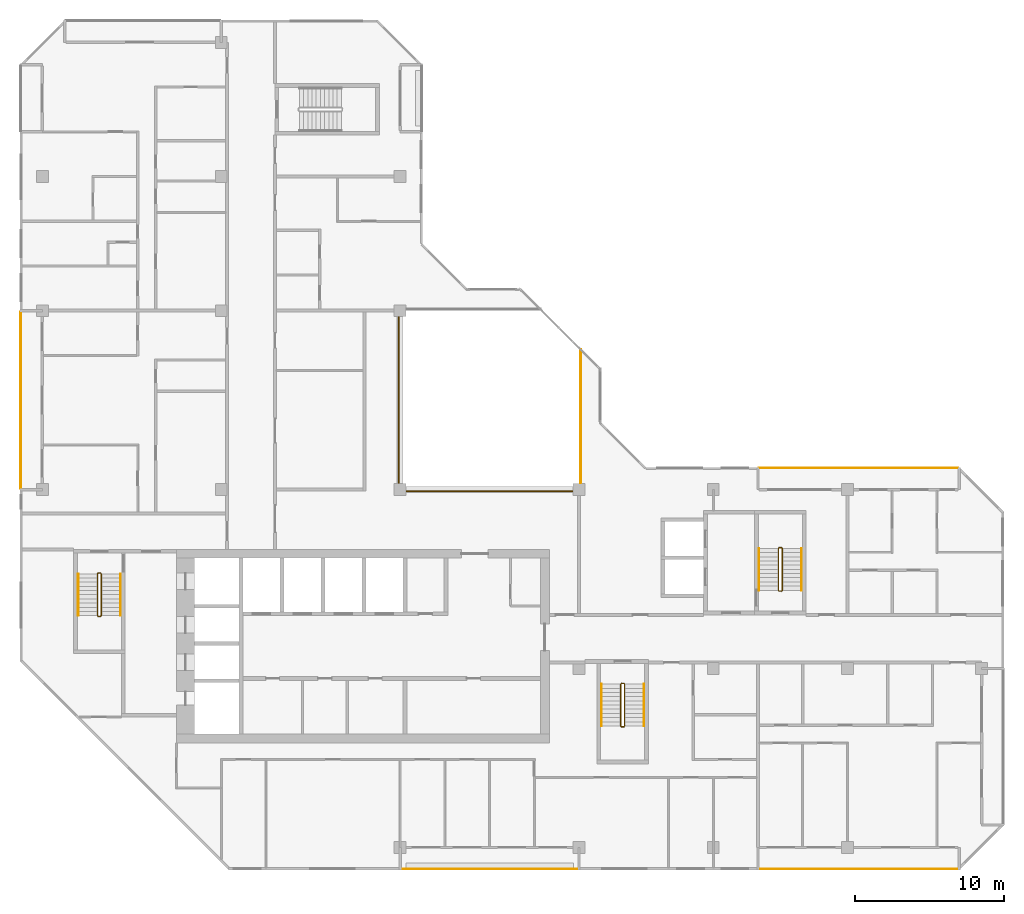
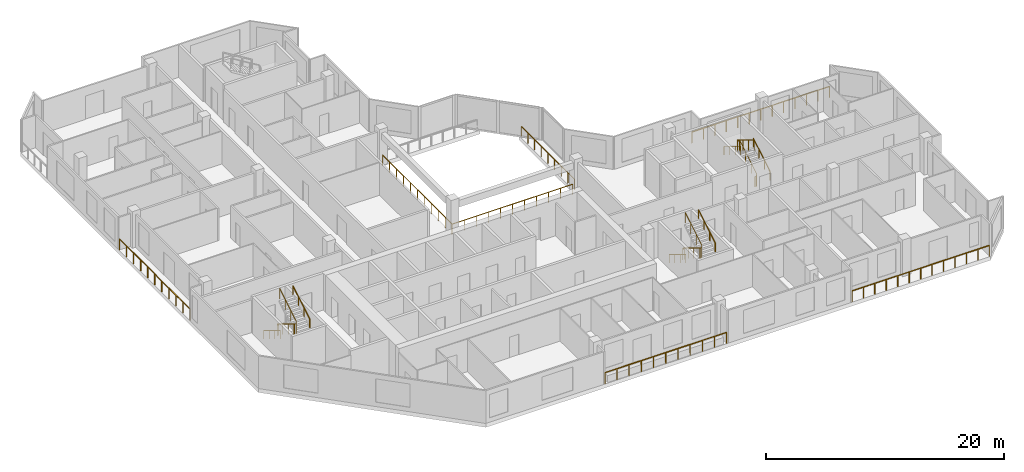
# One storey, part 12 of 13: 15 railings.
"""IFC4 building model written with IfcOpenShell, lengths in metres."""

from ifc_helpers import new_model, si_unit, direction, frame, origin, origin_2d, place, context, subcontext, project, spatial, rectangle, extrude, material, type_object, element, save


model = new_model("IFC4")

# Units and contexts
model_context = context("Model", 3, precision=1e-05, world=origin(), true_north=direction((0.0, 1.0)))
body_context = subcontext(model_context, "Body", "Model", "MODEL_VIEW")
ifc_project = project(units=[si_unit("LENGTHUNIT", "METRE"), si_unit("AREAUNIT", "SQUARE_METRE"), si_unit("VOLUMEUNIT", "CUBIC_METRE"), si_unit("PLANEANGLEUNIT", "RADIAN"), si_unit("MASSUNIT", "GRAM", prefix="KILO")], contexts=[model_context])

# Site, building, storey
site_placement = place(None, origin())
site = spatial("IfcSite", under=ifc_project, at=site_placement, CompositionType="ELEMENT")
building_placement = place(site_placement, origin())
building = spatial("IfcBuilding", under=site, at=building_placement, Name="Chenar Terraces", CompositionType="ELEMENT")
storey_placement = place(building_placement, frame((0.0, 0.0, 292.14990234375)))
storey = spatial("IfcBuildingStorey", under=building, at=storey_placement, Name="L68", CompositionType="ELEMENT", Elevation=292.14990234375)

# Railings
ifc_material_1 = material(Name="Powder-coated steel", Category="steel")
railing_type_1 = type_object("IfcRailingType", Name="Guard 1100 steel rail with glass infill", PredefinedType="GUARDRAIL", material=ifc_material_1)
railing_1_placement = place(storey_placement, frame((23.89990234375, 35.60009765625, 0.0)))
element("IfcRailing", 1, at=railing_1_placement, inside=storey, type_object=railing_type_1, Name="Guard L68-1", PredefinedType="GUARDRAIL", context=body_context, shape_type="SweptSolid", body=[
    extrude(rectangle(XDim=0.06005859375, YDim=0.06005859375, at=origin_2d()), frame((0.0, 0.0, 1.070068359375), z_axis=(0.0, -1.0, 0.0), x_axis=(1.0, 0.0, 0.0)), (0.0, 0.0, 1.0), 11.7001953125),
    extrude(rectangle(XDim=0.06005859375, YDim=0.06005859375, at=origin_2d()), frame((0.0, -11.7001953125, 1.070068359375), z_axis=(1.0, 0.0, 0.0), x_axis=(0.0, 1.0, 0.0)), (0.0, 0.0, 1.0), 11.7001953125),
    extrude(rectangle(XDim=0.050048828125, YDim=0.050048828125, at=origin_2d()), origin(), (0.0, 0.0, 1.0), 1.0400390625),
    extrude(rectangle(XDim=0.050048828125, YDim=0.050048828125, at=origin_2d()), frame((0.0, -1.169921875, 0.0)), (0.0, 0.0, 1.0), 1.0400390625),
    extrude(rectangle(XDim=0.050048828125, YDim=0.050048828125, at=origin_2d()), frame((0.0, -2.340087890625, 0.0)), (0.0, 0.0, 1.0), 1.0400390625),
    extrude(rectangle(XDim=0.050048828125, YDim=0.050048828125, at=origin_2d()), frame((0.0, -3.510009765625, 0.0)), (0.0, 0.0, 1.0), 1.0400390625),
    extrude(rectangle(XDim=0.050048828125, YDim=0.050048828125, at=origin_2d()), frame((0.0, -4.68017578125, 0.0)), (0.0, 0.0, 1.0), 1.0400390625),
    extrude(rectangle(XDim=0.050048828125, YDim=0.050048828125, at=origin_2d()), frame((0.0, -5.85009765625, 0.0)), (0.0, 0.0, 1.0), 1.0400390625),
    extrude(rectangle(XDim=0.050048828125, YDim=0.050048828125, at=origin_2d()), frame((0.0, -7.02001953125, 0.0)), (0.0, 0.0, 1.0), 1.0400390625),
    extrude(rectangle(XDim=0.050048828125, YDim=0.050048828125, at=origin_2d()), frame((0.0, -8.190185546875, 0.0)), (0.0, 0.0, 1.0), 1.0400390625),
    extrude(rectangle(XDim=0.050048828125, YDim=0.050048828125, at=origin_2d()), frame((0.0, -9.360107421875, 0.0)), (0.0, 0.0, 1.0), 1.0400390625),
    extrude(rectangle(XDim=0.050048828125, YDim=0.050048828125, at=origin_2d()), frame((0.0, -10.5302734375, 0.0)), (0.0, 0.0, 1.0), 1.0400390625),
    extrude(rectangle(XDim=0.050048828125, YDim=0.050048828125, at=origin_2d()), frame((0.0, -11.7001953125, 0.0)), (0.0, 0.0, 1.0), 1.0400390625),
    extrude(rectangle(XDim=0.050048828125, YDim=0.050048828125, at=origin_2d()), frame((1.169921875, -11.7001953125, 0.0)), (0.0, 0.0, 1.0), 1.0400390625),
    extrude(rectangle(XDim=0.050048828125, YDim=0.050048828125, at=origin_2d()), frame((2.340087890625, -11.7001953125, 0.0)), (0.0, 0.0, 1.0), 1.0400390625),
    extrude(rectangle(XDim=0.050048828125, YDim=0.050048828125, at=origin_2d()), frame((3.510009765625, -11.7001953125, 0.0)), (0.0, 0.0, 1.0), 1.0400390625),
    extrude(rectangle(XDim=0.050048828125, YDim=0.050048828125, at=origin_2d()), frame((4.68017578125, -11.7001953125, 0.0)), (0.0, 0.0, 1.0), 1.0400390625),
    extrude(rectangle(XDim=0.050048828125, YDim=0.050048828125, at=origin_2d()), frame((5.85009765625, -11.7001953125, 0.0)), (0.0, 0.0, 1.0), 1.0400390625),
    extrude(rectangle(XDim=0.050048828125, YDim=0.050048828125, at=origin_2d()), frame((7.02001953125, -11.7001953125, 0.0)), (0.0, 0.0, 1.0), 1.0400390625),
    extrude(rectangle(XDim=0.050048828125, YDim=0.050048828125, at=origin_2d()), frame((8.190185546875, -11.7001953125, 0.0)), (0.0, 0.0, 1.0), 1.0400390625),
    extrude(rectangle(XDim=0.050048828125, YDim=0.050048828125, at=origin_2d()), frame((9.360107421875, -11.7001953125, 0.0)), (0.0, 0.0, 1.0), 1.0400390625),
    extrude(rectangle(XDim=0.050048828125, YDim=0.050048828125, at=origin_2d()), frame((10.5302734375, -11.7001953125, 0.0)), (0.0, 0.0, 1.0), 1.0400390625),
    extrude(rectangle(XDim=0.050048828125, YDim=0.050048828125, at=origin_2d()), frame((11.7001953125, -11.7001953125, 0.0)), (0.0, 0.0, 1.0), 1.0400390625),
])
railing_2_placement = place(storey_placement, frame((36.10009765625, 24.449951171875, 0.0)))
element("IfcRailing", 2, at=railing_2_placement, inside=storey, type_object=railing_type_1, Name="Guard L68-3", PredefinedType="GUARDRAIL", context=body_context, shape_type="SweptSolid", body=[
    extrude(rectangle(XDim=0.06005859375, YDim=0.06005859375, at=origin_2d()), frame((0.0, 0.0, 1.070068359375), z_axis=(0.0, 1.0, 0.0), x_axis=(-1.0, 0.0, 0.0)), (0.0, 0.0, 1.0), 8.949951171875),
    extrude(rectangle(XDim=0.050048828125, YDim=0.050048828125, at=origin_2d()), origin(), (0.0, 0.0, 1.0), 1.0400390625),
    extrude(rectangle(XDim=0.050048828125, YDim=0.050048828125, at=origin_2d()), frame((0.0, 1.11865234375, 0.0)), (0.0, 0.0, 1.0), 1.0400390625),
    extrude(rectangle(XDim=0.050048828125, YDim=0.050048828125, at=origin_2d()), frame((0.0, 2.237548828125, 0.0)), (0.0, 0.0, 1.0), 1.0400390625),
    extrude(rectangle(XDim=0.050048828125, YDim=0.050048828125, at=origin_2d()), frame((0.0, 3.356201171875, 0.0)), (0.0, 0.0, 1.0), 1.0400390625),
    extrude(rectangle(XDim=0.050048828125, YDim=0.050048828125, at=origin_2d()), frame((0.0, 4.47509765625, 0.0)), (0.0, 0.0, 1.0), 1.0400390625),
    extrude(rectangle(XDim=0.050048828125, YDim=0.050048828125, at=origin_2d()), frame((0.0, 5.59375, 0.0)), (0.0, 0.0, 1.0), 1.0400390625),
    extrude(rectangle(XDim=0.050048828125, YDim=0.050048828125, at=origin_2d()), frame((0.0, 6.71240234375, 0.0)), (0.0, 0.0, 1.0), 1.0400390625),
    extrude(rectangle(XDim=0.050048828125, YDim=0.050048828125, at=origin_2d()), frame((0.0, 7.831298828125, 0.0)), (0.0, 0.0, 1.0), 1.0400390625),
    extrude(rectangle(XDim=0.050048828125, YDim=0.050048828125, at=origin_2d()), frame((0.0, 8.949951171875, 0.0)), (0.0, 0.0, 1.0), 1.0400390625),
])
ifc_material_2 = material(Name="Stainless steel and glass", Category="steel")
railing_type_2 = type_object("IfcRailingType", Name="Loggia guard 1150", PredefinedType="GUARDRAIL", material=ifc_material_2)
railing_3_placement = place(storey_placement, frame((61.425048828125, 25.449951171875, 0.0)))
element("IfcRailing", 3, at=railing_3_placement, inside=storey, type_object=railing_type_2, Name="Loggia guard", PredefinedType="GUARDRAIL", context=body_context, shape_type="SweptSolid", body=[
    extrude(rectangle(XDim=0.048095703125, YDim=0.048095703125, at=origin_2d()), frame((0.0, 0.0, 1.1259765625), z_axis=(-1.0, 0.0, 0.0), x_axis=(0.0, -1.0, 0.0)), (0.0, 0.0, 1.0), 13.35009765625),
    extrude(rectangle(XDim=0.0419921875, YDim=0.0419921875, at=origin_2d()), origin(), (0.0, 0.0, 1.0), 1.101806640625),
    extrude(rectangle(XDim=0.0419921875, YDim=0.0419921875, at=origin_2d()), frame((-1.112548828125, 0.0, 0.0)), (0.0, 0.0, 1.0), 1.101806640625),
    extrude(rectangle(XDim=0.0419921875, YDim=0.0419921875, at=origin_2d()), frame((-2.22509765625, 0.0, 0.0)), (0.0, 0.0, 1.0), 1.101806640625),
    extrude(rectangle(XDim=0.0419921875, YDim=0.0419921875, at=origin_2d()), frame((-3.33740234375, 0.0, 0.0)), (0.0, 0.0, 1.0), 1.101806640625),
    extrude(rectangle(XDim=0.0419921875, YDim=0.0419921875, at=origin_2d()), frame((-4.449951171875, 0.0, 0.0)), (0.0, 0.0, 1.0), 1.101806640625),
    extrude(rectangle(XDim=0.0419921875, YDim=0.0419921875, at=origin_2d()), frame((-5.5625, 0.0, 0.0)), (0.0, 0.0, 1.0), 1.101806640625),
    extrude(rectangle(XDim=0.0419921875, YDim=0.0419921875, at=origin_2d()), frame((-6.675048828125, 0.0, 0.0)), (0.0, 0.0, 1.0), 1.101806640625),
    extrude(rectangle(XDim=0.0419921875, YDim=0.0419921875, at=origin_2d()), frame((-7.78759765625, 0.0, 0.0)), (0.0, 0.0, 1.0), 1.101806640625),
    extrude(rectangle(XDim=0.0419921875, YDim=0.0419921875, at=origin_2d()), frame((-8.900146484375, 0.0, 0.0)), (0.0, 0.0, 1.0), 1.101806640625),
    extrude(rectangle(XDim=0.0419921875, YDim=0.0419921875, at=origin_2d()), frame((-10.0126953125, 0.0, 0.0)), (0.0, 0.0, 1.0), 1.101806640625),
    extrude(rectangle(XDim=0.0419921875, YDim=0.0419921875, at=origin_2d()), frame((-11.125, 0.0, 0.0)), (0.0, 0.0, 1.0), 1.101806640625),
    extrude(rectangle(XDim=0.0419921875, YDim=0.0419921875, at=origin_2d()), frame((-12.237548828125, 0.0, 0.0)), (0.0, 0.0, 1.0), 1.101806640625),
    extrude(rectangle(XDim=0.0419921875, YDim=0.0419921875, at=origin_2d()), frame((-13.35009765625, 0.0, 0.0)), (0.0, 0.0, 1.0), 1.101806640625),
])
railing_4_placement = place(storey_placement, frame((24.074951171875, -1.449951171875, 0.0)))
element("IfcRailing", 4, at=railing_4_placement, inside=storey, type_object=railing_type_2, Name="Loggia guard", PredefinedType="GUARDRAIL", context=body_context, shape_type="SweptSolid", body=[
    extrude(rectangle(XDim=0.048095703125, YDim=0.048095703125, at=origin_2d()), frame((0.0, 0.0, 1.1259765625), z_axis=(1.0, 0.0, 0.0), x_axis=(0.0, 1.0, 0.0)), (0.0, 0.0, 1.0), 11.85009765625),
    extrude(rectangle(XDim=0.0419921875, YDim=0.0419921875, at=origin_2d()), origin(), (0.0, 0.0, 1.0), 1.101806640625),
    extrude(rectangle(XDim=0.0419921875, YDim=0.0419921875, at=origin_2d()), frame((1.18505859375, 0.0, 0.0)), (0.0, 0.0, 1.0), 1.101806640625),
    extrude(rectangle(XDim=0.0419921875, YDim=0.0419921875, at=origin_2d()), frame((2.3701171875, 0.0, 0.0)), (0.0, 0.0, 1.0), 1.101806640625),
    extrude(rectangle(XDim=0.0419921875, YDim=0.0419921875, at=origin_2d()), frame((3.554931640625, 0.0, 0.0)), (0.0, 0.0, 1.0), 1.101806640625),
    extrude(rectangle(XDim=0.0419921875, YDim=0.0419921875, at=origin_2d()), frame((4.739990234375, 0.0, 0.0)), (0.0, 0.0, 1.0), 1.101806640625),
    extrude(rectangle(XDim=0.0419921875, YDim=0.0419921875, at=origin_2d()), frame((5.925048828125, 0.0, 0.0)), (0.0, 0.0, 1.0), 1.101806640625),
    extrude(rectangle(XDim=0.0419921875, YDim=0.0419921875, at=origin_2d()), frame((7.110107421875, 0.0, 0.0)), (0.0, 0.0, 1.0), 1.101806640625),
    extrude(rectangle(XDim=0.0419921875, YDim=0.0419921875, at=origin_2d()), frame((8.295166015625, 0.0, 0.0)), (0.0, 0.0, 1.0), 1.101806640625),
    extrude(rectangle(XDim=0.0419921875, YDim=0.0419921875, at=origin_2d()), frame((9.47998046875, 0.0, 0.0)), (0.0, 0.0, 1.0), 1.101806640625),
    extrude(rectangle(XDim=0.0419921875, YDim=0.0419921875, at=origin_2d()), frame((10.6650390625, 0.0, 0.0)), (0.0, 0.0, 1.0), 1.101806640625),
    extrude(rectangle(XDim=0.0419921875, YDim=0.0419921875, at=origin_2d()), frame((11.85009765625, 0.0, 0.0)), (0.0, 0.0, 1.0), 1.101806640625),
])
railing_5_placement = place(storey_placement, frame((48.074951171875, -1.449951171875, 0.0)))
element("IfcRailing", 5, at=railing_5_placement, inside=storey, type_object=railing_type_2, Name="Loggia guard", PredefinedType="GUARDRAIL", context=body_context, shape_type="SweptSolid", body=[
    extrude(rectangle(XDim=0.048095703125, YDim=0.048095703125, at=origin_2d()), frame((0.0, 0.0, 1.1259765625), z_axis=(1.0, 0.0, 0.0), x_axis=(0.0, 1.0, 0.0)), (0.0, 0.0, 1.0), 13.35009765625),
    extrude(rectangle(XDim=0.0419921875, YDim=0.0419921875, at=origin_2d()), origin(), (0.0, 0.0, 1.0), 1.101806640625),
    extrude(rectangle(XDim=0.0419921875, YDim=0.0419921875, at=origin_2d()), frame((1.112548828125, 0.0, 0.0)), (0.0, 0.0, 1.0), 1.101806640625),
    extrude(rectangle(XDim=0.0419921875, YDim=0.0419921875, at=origin_2d()), frame((2.22509765625, 0.0, 0.0)), (0.0, 0.0, 1.0), 1.101806640625),
    extrude(rectangle(XDim=0.0419921875, YDim=0.0419921875, at=origin_2d()), frame((3.33740234375, 0.0, 0.0)), (0.0, 0.0, 1.0), 1.101806640625),
    extrude(rectangle(XDim=0.0419921875, YDim=0.0419921875, at=origin_2d()), frame((4.449951171875, 0.0, 0.0)), (0.0, 0.0, 1.0), 1.101806640625),
    extrude(rectangle(XDim=0.0419921875, YDim=0.0419921875, at=origin_2d()), frame((5.5625, 0.0, 0.0)), (0.0, 0.0, 1.0), 1.101806640625),
    extrude(rectangle(XDim=0.0419921875, YDim=0.0419921875, at=origin_2d()), frame((6.675048828125, 0.0, 0.0)), (0.0, 0.0, 1.0), 1.101806640625),
    extrude(rectangle(XDim=0.0419921875, YDim=0.0419921875, at=origin_2d()), frame((7.78759765625, 0.0, 0.0)), (0.0, 0.0, 1.0), 1.101806640625),
    extrude(rectangle(XDim=0.0419921875, YDim=0.0419921875, at=origin_2d()), frame((8.900146484375, 0.0, 0.0)), (0.0, 0.0, 1.0), 1.101806640625),
    extrude(rectangle(XDim=0.0419921875, YDim=0.0419921875, at=origin_2d()), frame((10.0126953125, 0.0, 0.0)), (0.0, 0.0, 1.0), 1.101806640625),
    extrude(rectangle(XDim=0.0419921875, YDim=0.0419921875, at=origin_2d()), frame((11.125, 0.0, 0.0)), (0.0, 0.0, 1.0), 1.101806640625),
    extrude(rectangle(XDim=0.0419921875, YDim=0.0419921875, at=origin_2d()), frame((12.237548828125, 0.0, 0.0)), (0.0, 0.0, 1.0), 1.101806640625),
    extrude(rectangle(XDim=0.0419921875, YDim=0.0419921875, at=origin_2d()), frame((13.35009765625, 0.0, 0.0)), (0.0, 0.0, 1.0), 1.101806640625),
])
railing_6_placement = place(storey_placement, frame((-1.449951171875, 35.925048828125, 0.0)))
element("IfcRailing", 6, at=railing_6_placement, inside=storey, type_object=railing_type_2, Name="Loggia guard", PredefinedType="GUARDRAIL", context=body_context, shape_type="SweptSolid", body=[
    extrude(rectangle(XDim=0.048095703125, YDim=0.048095703125, at=origin_2d()), frame((0.0, 0.0, 1.1259765625), z_axis=(0.0, -1.0, 0.0), x_axis=(1.0, 0.0, 0.0)), (0.0, 0.0, 1.0), 11.85009765625),
    extrude(rectangle(XDim=0.0419921875, YDim=0.0419921875, at=origin_2d()), origin(), (0.0, 0.0, 1.0), 1.101806640625),
    extrude(rectangle(XDim=0.0419921875, YDim=0.0419921875, at=origin_2d()), frame((0.0, -1.18505859375, 0.0)), (0.0, 0.0, 1.0), 1.101806640625),
    extrude(rectangle(XDim=0.0419921875, YDim=0.0419921875, at=origin_2d()), frame((0.0, -2.3701171875, 0.0)), (0.0, 0.0, 1.0), 1.101806640625),
    extrude(rectangle(XDim=0.0419921875, YDim=0.0419921875, at=origin_2d()), frame((0.0, -3.554931640625, 0.0)), (0.0, 0.0, 1.0), 1.101806640625),
    extrude(rectangle(XDim=0.0419921875, YDim=0.0419921875, at=origin_2d()), frame((0.0, -4.739990234375, 0.0)), (0.0, 0.0, 1.0), 1.101806640625),
    extrude(rectangle(XDim=0.0419921875, YDim=0.0419921875, at=origin_2d()), frame((0.0, -5.925048828125, 0.0)), (0.0, 0.0, 1.0), 1.101806640625),
    extrude(rectangle(XDim=0.0419921875, YDim=0.0419921875, at=origin_2d()), frame((0.0, -7.110107421875, 0.0)), (0.0, 0.0, 1.0), 1.101806640625),
    extrude(rectangle(XDim=0.0419921875, YDim=0.0419921875, at=origin_2d()), frame((0.0, -8.295166015625, 0.0)), (0.0, 0.0, 1.0), 1.101806640625),
    extrude(rectangle(XDim=0.0419921875, YDim=0.0419921875, at=origin_2d()), frame((0.0, -9.47998046875, 0.0)), (0.0, 0.0, 1.0), 1.101806640625),
    extrude(rectangle(XDim=0.0419921875, YDim=0.0419921875, at=origin_2d()), frame((0.0, -10.6650390625, 0.0)), (0.0, 0.0, 1.0), 1.101806640625),
    extrude(rectangle(XDim=0.0419921875, YDim=0.0419921875, at=origin_2d()), frame((0.0, -11.85009765625, 0.0)), (0.0, 0.0, 1.0), 1.101806640625),
])
ifc_material_3 = material(Name="Powder-coated steel", Category="steel")
railing_type_3 = type_object("IfcRailingType", Name="Stair guard 1100", PredefinedType="GUARDRAIL", material=ifc_material_3)
railing_7_placement = place(storey_placement, frame((3.949951171875, 18.35009765625, 3.75)))
element("IfcRailing", 7, at=railing_7_placement, inside=storey, type_object=railing_type_3, Name="L68 ST1 stair guard 1", PredefinedType="GUARDRAIL", context=body_context, shape_type="SweptSolid", body=[
    extrude(rectangle(XDim=0.048095703125, YDim=0.048095703125, at=origin_2d()), frame((0.0, 0.0, 1.076171875), z_axis=(0.0, -0.854202870247, -0.519939858505), x_axis=(1.0, 0.0, 0.0)), (0.0, 0.0, 1.0), 3.278076171875),
    extrude(rectangle(XDim=0.048095703125, YDim=0.048095703125, at=origin_2d()), frame((0.0, -2.800048828125, -0.62841796875), z_axis=(-0.270899902878, -0.270899902878, -0.923702595667), x_axis=(0.707106781187, -0.707106781187, 0.0)), (0.0, 0.0, 1.0), 0.184814453125),
    extrude(rectangle(XDim=0.048095703125, YDim=0.048095703125, at=origin_2d()), frame((-0.050048828125, -2.85009765625, -0.798828125), z_axis=(-1.0, 0.0, 0.0), x_axis=(0.0, -1.0, 0.0)), (0.0, 0.0, 1.0), 0.14990234375),
    extrude(rectangle(XDim=0.048095703125, YDim=0.048095703125, at=origin_2d()), frame((-0.199951171875, -2.85009765625, -0.798828125), z_axis=(-0.707106781187, 0.707106781187, 0.0), x_axis=(-0.707106781187, -0.707106781187, 0.0)), (0.0, 0.0, 1.0), 0.07080078125),
    extrude(rectangle(XDim=0.048095703125, YDim=0.048095703125, at=origin_2d()), frame((-0.25, -2.800048828125, -0.798828125), z_axis=(0.0, 0.854202870247, -0.519939858505), x_axis=(-1.0, 0.0, 0.0)), (0.0, 0.0, 1.0), 3.278076171875),
    extrude(rectangle(XDim=0.048095703125, YDim=0.048095703125, at=origin_2d()), frame((-0.25, 0.0, -2.50341796875), z_axis=(0.270996696079, 0.269674760976, -0.924032636873), x_axis=(-0.705375805398, 0.708833529934, 0.0)), (0.0, 0.0, 1.0), 0.1845703125),
    extrude(rectangle(XDim=0.048095703125, YDim=0.048095703125, at=origin_2d()), frame((-0.199951171875, 0.0498046875, -2.673828125), z_axis=(1.0, 0.0, 0.0), x_axis=(0.0, 1.0, 0.0)), (0.0, 0.0, 1.0), 0.14990234375),
    extrude(rectangle(XDim=0.0419921875, YDim=0.0419921875, at=origin_2d()), origin(), (0.0, 0.0, 1.0), 1.052001953125),
    extrude(rectangle(XDim=0.0419921875, YDim=0.0419921875, at=origin_2d()), frame((0.0, -0.933349609375, -0.568115234375)), (0.0, 0.0, 1.0), 1.052001953125),
    extrude(rectangle(XDim=0.0419921875, YDim=0.0419921875, at=origin_2d()), frame((0.0, -1.86669921875, -1.13623046875)), (0.0, 0.0, 1.0), 1.052001953125),
    extrude(rectangle(XDim=0.0419921875, YDim=0.0419921875, at=origin_2d()), frame((0.0, -2.800048828125, -1.704345703125)), (0.0, 0.0, 1.0), 1.052001953125),
    extrude(rectangle(XDim=0.0419921875, YDim=0.0419921875, at=origin_2d()), frame((-0.050048828125, -2.85009765625, -1.875)), (0.0, 0.0, 1.0), 1.052001953125),
    extrude(rectangle(XDim=0.0419921875, YDim=0.0419921875, at=origin_2d()), frame((-0.199951171875, -2.85009765625, -1.875)), (0.0, 0.0, 1.0), 1.052001953125),
    extrude(rectangle(XDim=0.0419921875, YDim=0.0419921875, at=origin_2d()), frame((-0.25, -2.800048828125, -1.875)), (0.0, 0.0, 1.0), 1.052001953125),
    extrude(rectangle(XDim=0.0419921875, YDim=0.0419921875, at=origin_2d()), frame((-0.25, -1.86669921875, -2.443115234375)), (0.0, 0.0, 1.0), 1.052001953125),
    extrude(rectangle(XDim=0.0419921875, YDim=0.0419921875, at=origin_2d()), frame((-0.25, -0.933349609375, -3.01123046875)), (0.0, 0.0, 1.0), 1.052001953125),
    extrude(rectangle(XDim=0.0419921875, YDim=0.0419921875, at=origin_2d()), frame((-0.25, 0.0, -3.579345703125)), (0.0, 0.0, 1.0), 1.052001953125),
    extrude(rectangle(XDim=0.0419921875, YDim=0.0419921875, at=origin_2d()), frame((-0.199951171875, 0.0498046875, -3.75)), (0.0, 0.0, 1.0), 1.052001953125),
    extrude(rectangle(XDim=0.0419921875, YDim=0.0419921875, at=origin_2d()), frame((-0.050048828125, 0.0498046875, -3.75)), (0.0, 0.0, 1.0), 1.052001953125),
])
railing_8_placement = place(storey_placement, frame((39.050048828125, 10.949951171875, 3.75)))
element("IfcRailing", 8, at=railing_8_placement, inside=storey, type_object=railing_type_3, Name="L68 ST2 stair guard 1", PredefinedType="GUARDRAIL", context=body_context, shape_type="SweptSolid", body=[
    extrude(rectangle(XDim=0.048095703125, YDim=0.048095703125, at=origin_2d()), frame((0.0, 0.0, 1.076171875), z_axis=(0.0, -0.854202870247, -0.519939858505), x_axis=(1.0, 0.0, 0.0)), (0.0, 0.0, 1.0), 3.278076171875),
    extrude(rectangle(XDim=0.048095703125, YDim=0.048095703125, at=origin_2d()), frame((0.0, -2.800048828125, -0.62841796875), z_axis=(-0.270996696079, -0.269674760976, -0.924032636873), x_axis=(0.705375805398, -0.708833529934, 0.0)), (0.0, 0.0, 1.0), 0.1845703125),
    extrude(rectangle(XDim=0.048095703125, YDim=0.048095703125, at=origin_2d()), frame((-0.050048828125, -2.849853515625, -0.798828125), z_axis=(-1.0, 0.0, 0.0), x_axis=(0.0, -1.0, 0.0)), (0.0, 0.0, 1.0), 0.14990234375),
    extrude(rectangle(XDim=0.048095703125, YDim=0.048095703125, at=origin_2d()), frame((-0.199951171875, -2.849853515625, -0.798828125), z_axis=(-0.708833529934, 0.705375805398, 0.0), x_axis=(-0.705375805398, -0.708833529934, 0.0)), (0.0, 0.0, 1.0), 0.070556640625),
    extrude(rectangle(XDim=0.048095703125, YDim=0.048095703125, at=origin_2d()), frame((-0.25, -2.800048828125, -0.798828125), z_axis=(0.0, 0.854202870247, -0.519939858505), x_axis=(-1.0, 0.0, 0.0)), (0.0, 0.0, 1.0), 3.278076171875),
    extrude(rectangle(XDim=0.048095703125, YDim=0.048095703125, at=origin_2d()), frame((-0.25, 0.0, -2.50341796875), z_axis=(0.270899902878, 0.270899902878, -0.923702595667), x_axis=(-0.707106781187, 0.707106781187, 0.0)), (0.0, 0.0, 1.0), 0.184814453125),
    extrude(rectangle(XDim=0.048095703125, YDim=0.048095703125, at=origin_2d()), frame((-0.199951171875, 0.050048828125, -2.673828125), z_axis=(1.0, 0.0, 0.0), x_axis=(0.0, 1.0, 0.0)), (0.0, 0.0, 1.0), 0.14990234375),
    extrude(rectangle(XDim=0.0419921875, YDim=0.0419921875, at=origin_2d()), origin(), (0.0, 0.0, 1.0), 1.052001953125),
    extrude(rectangle(XDim=0.0419921875, YDim=0.0419921875, at=origin_2d()), frame((0.0, -0.933349609375, -0.568115234375)), (0.0, 0.0, 1.0), 1.052001953125),
    extrude(rectangle(XDim=0.0419921875, YDim=0.0419921875, at=origin_2d()), frame((0.0, -1.86669921875, -1.13623046875)), (0.0, 0.0, 1.0), 1.052001953125),
    extrude(rectangle(XDim=0.0419921875, YDim=0.0419921875, at=origin_2d()), frame((0.0, -2.800048828125, -1.704345703125)), (0.0, 0.0, 1.0), 1.052001953125),
    extrude(rectangle(XDim=0.0419921875, YDim=0.0419921875, at=origin_2d()), frame((-0.050048828125, -2.849853515625, -1.875)), (0.0, 0.0, 1.0), 1.052001953125),
    extrude(rectangle(XDim=0.0419921875, YDim=0.0419921875, at=origin_2d()), frame((-0.199951171875, -2.849853515625, -1.875)), (0.0, 0.0, 1.0), 1.052001953125),
    extrude(rectangle(XDim=0.0419921875, YDim=0.0419921875, at=origin_2d()), frame((-0.25, -2.800048828125, -1.875)), (0.0, 0.0, 1.0), 1.052001953125),
    extrude(rectangle(XDim=0.0419921875, YDim=0.0419921875, at=origin_2d()), frame((-0.25, -1.86669921875, -2.443115234375)), (0.0, 0.0, 1.0), 1.052001953125),
    extrude(rectangle(XDim=0.0419921875, YDim=0.0419921875, at=origin_2d()), frame((-0.25, -0.933349609375, -3.01123046875)), (0.0, 0.0, 1.0), 1.052001953125),
    extrude(rectangle(XDim=0.0419921875, YDim=0.0419921875, at=origin_2d()), frame((-0.25, 0.0, -3.579345703125)), (0.0, 0.0, 1.0), 1.052001953125),
    extrude(rectangle(XDim=0.0419921875, YDim=0.0419921875, at=origin_2d()), frame((-0.199951171875, 0.050048828125, -3.75)), (0.0, 0.0, 1.0), 1.052001953125),
    extrude(rectangle(XDim=0.0419921875, YDim=0.0419921875, at=origin_2d()), frame((-0.050048828125, 0.050048828125, -3.75)), (0.0, 0.0, 1.0), 1.052001953125),
])
railing_9_placement = place(storey_placement, frame((49.375, 17.25, 3.75)))
element("IfcRailing", 9, at=railing_9_placement, inside=storey, type_object=railing_type_3, Name="L68 ST3 stair guard 1", PredefinedType="GUARDRAIL", context=body_context, shape_type="SweptSolid", body=[
    extrude(rectangle(XDim=0.048095703125, YDim=0.048095703125, at=origin_2d()), frame((0.0, 0.0, 1.076171875), z_axis=(0.0, 0.854202870247, -0.519939858505), x_axis=(-1.0, 0.0, 0.0)), (0.0, 0.0, 1.0), 3.278076171875),
    extrude(rectangle(XDim=0.048095703125, YDim=0.048095703125, at=origin_2d()), frame((0.0, 2.800048828125, -0.62841796875), z_axis=(0.270899902878, 0.270899902878, -0.923702595667), x_axis=(-0.707106781187, 0.707106781187, 0.0)), (0.0, 0.0, 1.0), 0.184814453125),
    extrude(rectangle(XDim=0.048095703125, YDim=0.048095703125, at=origin_2d()), frame((0.050048828125, 2.85009765625, -0.798828125), z_axis=(1.0, 0.0, 0.0), x_axis=(0.0, 1.0, 0.0)), (0.0, 0.0, 1.0), 0.14990234375),
    extrude(rectangle(XDim=0.048095703125, YDim=0.048095703125, at=origin_2d()), frame((0.199951171875, 2.85009765625, -0.798828125), z_axis=(0.707106781187, -0.707106781187, 0.0), x_axis=(0.707106781187, 0.707106781187, 0.0)), (0.0, 0.0, 1.0), 0.07080078125),
    extrude(rectangle(XDim=0.048095703125, YDim=0.048095703125, at=origin_2d()), frame((0.25, 2.800048828125, -0.798828125), z_axis=(0.0, -0.854202870247, -0.519939858505), x_axis=(1.0, 0.0, 0.0)), (0.0, 0.0, 1.0), 3.278076171875),
    extrude(rectangle(XDim=0.048095703125, YDim=0.048095703125, at=origin_2d()), frame((0.25, 0.0, -2.50341796875), z_axis=(-0.270899902878, -0.270899902878, -0.923702595667), x_axis=(0.707106781187, -0.707106781187, 0.0)), (0.0, 0.0, 1.0), 0.184814453125),
    extrude(rectangle(XDim=0.048095703125, YDim=0.048095703125, at=origin_2d()), frame((0.199951171875, -0.050048828125, -2.673828125), z_axis=(-1.0, 0.0, 0.0), x_axis=(0.0, -1.0, 0.0)), (0.0, 0.0, 1.0), 0.14990234375),
    extrude(rectangle(XDim=0.0419921875, YDim=0.0419921875, at=origin_2d()), origin(), (0.0, 0.0, 1.0), 1.052001953125),
    extrude(rectangle(XDim=0.0419921875, YDim=0.0419921875, at=origin_2d()), frame((0.0, 0.933349609375, -0.568115234375)), (0.0, 0.0, 1.0), 1.052001953125),
    extrude(rectangle(XDim=0.0419921875, YDim=0.0419921875, at=origin_2d()), frame((0.0, 1.86669921875, -1.13623046875)), (0.0, 0.0, 1.0), 1.052001953125),
    extrude(rectangle(XDim=0.0419921875, YDim=0.0419921875, at=origin_2d()), frame((0.0, 2.800048828125, -1.704345703125)), (0.0, 0.0, 1.0), 1.052001953125),
    extrude(rectangle(XDim=0.0419921875, YDim=0.0419921875, at=origin_2d()), frame((0.050048828125, 2.85009765625, -1.875)), (0.0, 0.0, 1.0), 1.052001953125),
    extrude(rectangle(XDim=0.0419921875, YDim=0.0419921875, at=origin_2d()), frame((0.199951171875, 2.85009765625, -1.875)), (0.0, 0.0, 1.0), 1.052001953125),
    extrude(rectangle(XDim=0.0419921875, YDim=0.0419921875, at=origin_2d()), frame((0.25, 2.800048828125, -1.875)), (0.0, 0.0, 1.0), 1.052001953125),
    extrude(rectangle(XDim=0.0419921875, YDim=0.0419921875, at=origin_2d()), frame((0.25, 1.86669921875, -2.443115234375)), (0.0, 0.0, 1.0), 1.052001953125),
    extrude(rectangle(XDim=0.0419921875, YDim=0.0419921875, at=origin_2d()), frame((0.25, 0.933349609375, -3.01123046875)), (0.0, 0.0, 1.0), 1.052001953125),
    extrude(rectangle(XDim=0.0419921875, YDim=0.0419921875, at=origin_2d()), frame((0.25, 0.0, -3.579345703125)), (0.0, 0.0, 1.0), 1.052001953125),
    extrude(rectangle(XDim=0.0419921875, YDim=0.0419921875, at=origin_2d()), frame((0.199951171875, -0.050048828125, -3.75)), (0.0, 0.0, 1.0), 1.052001953125),
    extrude(rectangle(XDim=0.0419921875, YDim=0.0419921875, at=origin_2d()), frame((0.050048828125, -0.050048828125, -3.75)), (0.0, 0.0, 1.0), 1.052001953125),
])
ifc_material_4 = material(Name="Powder-coated steel", Category="steel")
railing_type_4 = type_object("IfcRailingType", Name="Stair handrail 900", PredefinedType="HANDRAIL", material=ifc_material_4)
railing_10_placement = place(storey_placement, frame((2.39990234375, 18.35009765625, 0.170654296875)))
element("IfcRailing", 10, at=railing_10_placement, inside=storey, type_object=railing_type_4, Name="L68 ST1 stair handrail 1", PredefinedType="HANDRAIL", context=body_context, shape_type="SweptSolid", body=[
    extrude(rectangle(XDim=0.048095703125, YDim=0.048095703125, at=origin_2d()), frame((0.0, 0.0, 0.8759765625), z_axis=(0.0, -0.854202870247, 0.519939858505), x_axis=(1.0, 0.0, 0.0)), (0.0, 0.0, 1.0), 3.278076171875),
    extrude(rectangle(XDim=0.0419921875, YDim=0.0419921875, at=origin_2d()), origin(), (0.0, 0.0, 1.0), 0.851806640625),
    extrude(rectangle(XDim=0.0419921875, YDim=0.0419921875, at=origin_2d()), frame((0.0, -0.933349609375, 0.568115234375)), (0.0, 0.0, 1.0), 0.851806640625),
    extrude(rectangle(XDim=0.0419921875, YDim=0.0419921875, at=origin_2d()), frame((0.0, -1.86669921875, 1.13623046875)), (0.0, 0.0, 1.0), 0.851806640625),
    extrude(rectangle(XDim=0.0419921875, YDim=0.0419921875, at=origin_2d()), frame((0.0, -2.800048828125, 1.704345703125)), (0.0, 0.0, 1.0), 0.851806640625),
])
railing_11_placement = place(storey_placement, frame((5.25, 15.550048828125, 2.045654296875)))
element("IfcRailing", 11, at=railing_11_placement, inside=storey, type_object=railing_type_4, Name="L68 ST1 stair handrail 2", PredefinedType="HANDRAIL", context=body_context, shape_type="SweptSolid", body=[
    extrude(rectangle(XDim=0.048095703125, YDim=0.048095703125, at=origin_2d()), frame((0.0, 0.0, 0.8759765625), z_axis=(0.0, 0.854202870247, 0.519939858505), x_axis=(-1.0, 0.0, 0.0)), (0.0, 0.0, 1.0), 3.278076171875),
    extrude(rectangle(XDim=0.0419921875, YDim=0.0419921875, at=origin_2d()), origin(), (0.0, 0.0, 1.0), 0.851806640625),
    extrude(rectangle(XDim=0.0419921875, YDim=0.0419921875, at=origin_2d()), frame((0.0, 0.933349609375, 0.568115234375)), (0.0, 0.0, 1.0), 0.851806640625),
    extrude(rectangle(XDim=0.0419921875, YDim=0.0419921875, at=origin_2d()), frame((0.0, 1.86669921875, 1.13623046875)), (0.0, 0.0, 1.0), 0.851806640625),
    extrude(rectangle(XDim=0.0419921875, YDim=0.0419921875, at=origin_2d()), frame((0.0, 2.800048828125, 1.704345703125)), (0.0, 0.0, 1.0), 0.851806640625),
])
railing_12_placement = place(storey_placement, frame((37.5, 10.949951171875, 0.170654296875)))
element("IfcRailing", 12, at=railing_12_placement, inside=storey, type_object=railing_type_4, Name="L68 ST2 stair handrail 1", PredefinedType="HANDRAIL", context=body_context, shape_type="SweptSolid", body=[
    extrude(rectangle(XDim=0.048095703125, YDim=0.048095703125, at=origin_2d()), frame((0.0, 0.0, 0.8759765625), z_axis=(0.0, -0.854202870247, 0.519939858505), x_axis=(1.0, 0.0, 0.0)), (0.0, 0.0, 1.0), 3.278076171875),
    extrude(rectangle(XDim=0.0419921875, YDim=0.0419921875, at=origin_2d()), origin(), (0.0, 0.0, 1.0), 0.851806640625),
    extrude(rectangle(XDim=0.0419921875, YDim=0.0419921875, at=origin_2d()), frame((0.0, -0.933349609375, 0.568115234375)), (0.0, 0.0, 1.0), 0.851806640625),
    extrude(rectangle(XDim=0.0419921875, YDim=0.0419921875, at=origin_2d()), frame((0.0, -1.86669921875, 1.13623046875)), (0.0, 0.0, 1.0), 0.851806640625),
    extrude(rectangle(XDim=0.0419921875, YDim=0.0419921875, at=origin_2d()), frame((0.0, -2.800048828125, 1.704345703125)), (0.0, 0.0, 1.0), 0.851806640625),
])
for number, where, name in (
    (13, (40.35009765625, 8.14990234375, 2.045654296875), "L68 ST2 stair handrail 2"),
    (14, (50.925048828125, 17.25, 0.170654296875), "L68 ST3 stair handrail 1"),
):
    element("IfcRailing", number, at=place(storey_placement, frame(where)), inside=storey, type_object=railing_type_4, Name=name, PredefinedType="HANDRAIL", context=body_context, shape_type="SweptSolid", body=[
        extrude(rectangle(XDim=0.048095703125, YDim=0.048095703125, at=origin_2d()), frame((0.0, 0.0, 0.8759765625), z_axis=(0.0, 0.854202870247, 0.519939858505), x_axis=(-1.0, 0.0, 0.0)), (0.0, 0.0, 1.0), 3.278076171875),
        extrude(rectangle(XDim=0.0419921875, YDim=0.0419921875, at=origin_2d()), origin(), (0.0, 0.0, 1.0), 0.851806640625),
        extrude(rectangle(XDim=0.0419921875, YDim=0.0419921875, at=origin_2d()), frame((0.0, 0.933349609375, 0.568115234375)), (0.0, 0.0, 1.0), 0.851806640625),
        extrude(rectangle(XDim=0.0419921875, YDim=0.0419921875, at=origin_2d()), frame((0.0, 1.86669921875, 1.13623046875)), (0.0, 0.0, 1.0), 0.851806640625),
        extrude(rectangle(XDim=0.0419921875, YDim=0.0419921875, at=origin_2d()), frame((0.0, 2.800048828125, 1.704345703125)), (0.0, 0.0, 1.0), 0.851806640625),
    ])
railing_13_placement = place(storey_placement, frame((48.074951171875, 20.050048828125, 2.045654296875)))
element("IfcRailing", 15, at=railing_13_placement, inside=storey, type_object=railing_type_4, Name="L68 ST3 stair handrail 2", PredefinedType="HANDRAIL", context=body_context, shape_type="SweptSolid", body=[
    extrude(rectangle(XDim=0.048095703125, YDim=0.048095703125, at=origin_2d()), frame((0.0, 0.0, 0.8759765625), z_axis=(0.0, -0.854202870247, 0.519939858505), x_axis=(1.0, 0.0, 0.0)), (0.0, 0.0, 1.0), 3.278076171875),
    extrude(rectangle(XDim=0.0419921875, YDim=0.0419921875, at=origin_2d()), origin(), (0.0, 0.0, 1.0), 0.851806640625),
    extrude(rectangle(XDim=0.0419921875, YDim=0.0419921875, at=origin_2d()), frame((0.0, -0.933349609375, 0.568115234375)), (0.0, 0.0, 1.0), 0.851806640625),
    extrude(rectangle(XDim=0.0419921875, YDim=0.0419921875, at=origin_2d()), frame((0.0, -1.86669921875, 1.13623046875)), (0.0, 0.0, 1.0), 0.851806640625),
    extrude(rectangle(XDim=0.0419921875, YDim=0.0419921875, at=origin_2d()), frame((0.0, -2.800048828125, 1.704345703125)), (0.0, 0.0, 1.0), 0.851806640625),
])

save(model, "model.ifc")
